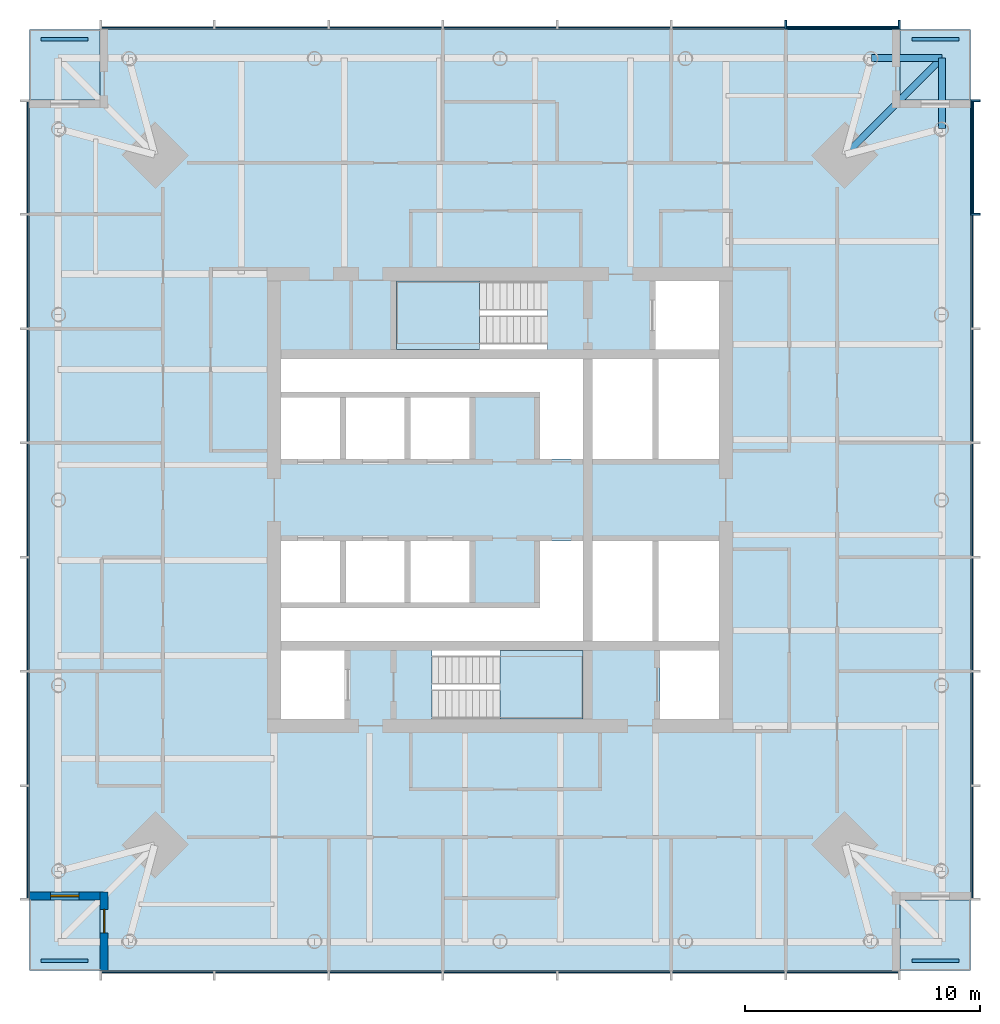
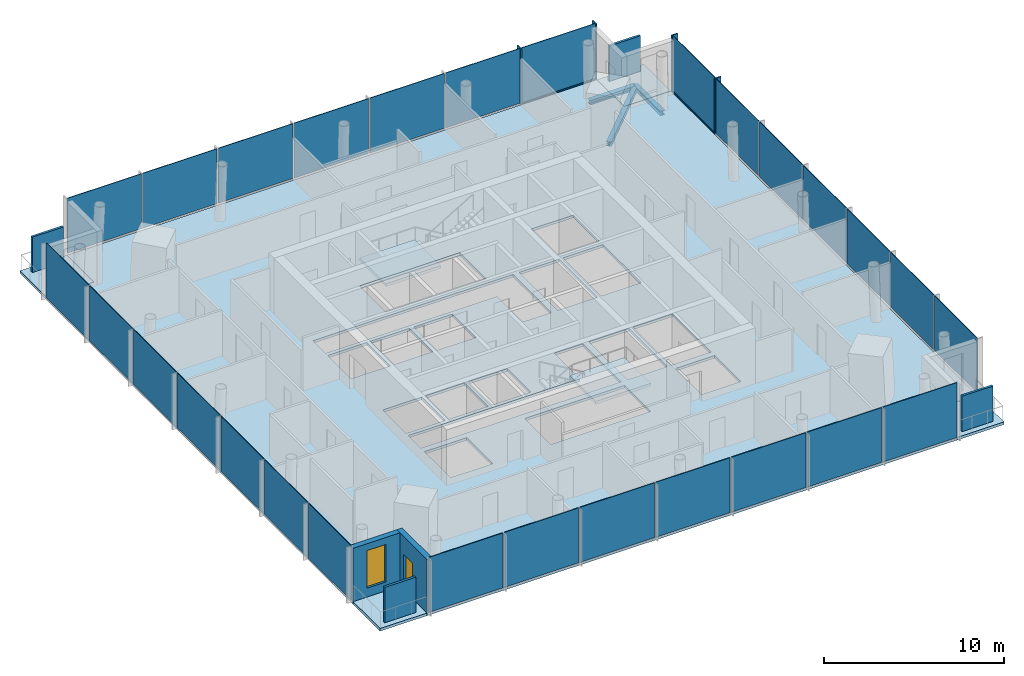
# One storey, part 3 of 7: 32 plates, 7 slabs, 6 members, 3 beams, 2 walls, 1 door, 1 window, 2 openings, 6 elements without a shape of their own.
"""IFC4 building model written with IfcOpenShell, lengths in metres."""

from ifc_helpers import new_model, si_unit, direction, frame, frame_2d, origin, origin_2d, place, context, subcontext, project, spatial, polyline, rectangle, i_section, outline, extrude, material, layer, layer_set, material_profile, profile_set, type_object, element, fill, aggregate, save


model = new_model("IFC4")

# Units and contexts
model_context = context("Model", 3, precision=1e-05, world=origin(), true_north=direction((0.0, 1.0)))
body_context = subcontext(model_context, "Body", "Model", "MODEL_VIEW")
ifc_project = project(units=[si_unit("LENGTHUNIT", "METRE"), si_unit("AREAUNIT", "SQUARE_METRE"), si_unit("VOLUMEUNIT", "CUBIC_METRE"), si_unit("PLANEANGLEUNIT", "RADIAN"), si_unit("MASSUNIT", "GRAM", prefix="KILO")], contexts=[model_context])

# Site, building, storey
site_placement = place(None, origin())
site = spatial("IfcSite", under=ifc_project, at=site_placement, CompositionType="ELEMENT")
building_placement = place(site_placement, origin())
building = spatial("IfcBuilding", under=site, at=building_placement, Name="Ostroluk Exchange", CompositionType="ELEMENT")
storey_placement = place(building_placement, frame((0.0, 0.0, 184.39990234375)))
storey = spatial("IfcBuildingStorey", under=building, at=storey_placement, Name="L47", CompositionType="ELEMENT", Elevation=184.39990234375)

# Beams
ifc_material_1 = material(Name="Steel S355", Category="steel")
ifc_material_profile_1 = material_profile(ifc_material_1, i_section(OverallWidth=0.300048828125, OverallDepth=0.300048828125, WebThickness=0.010986328125, FlangeThickness=0.01904296875, FilletRadius=0.027099609375, at=origin_2d()), Name="HEB 300")
ifc_profile_set_1 = profile_set([ifc_material_profile_1], Name="Steel S355")
beam_type = type_object("IfcBeamType", Name="Balcony beam HEB 300", PredefinedType="BEAM", material=ifc_profile_set_1)
for number, where, z_axis, x_axis, name in (
    (1, (63.778564453125, 61.778564453125, -0.329833984375), (0.0, 1.0, 0.0), (-1.0, 0.0, 0.0), "T1 east balcony beam a"),
    (2, (60.778564453125, 64.778564453125, -0.329833984375), (1.0, 0.0, 0.0), (0.0, 1.0, 0.0), "T1 east balcony beam b"),
):
    element("IfcBeam", number, at=place(storey_placement, frame(where, z_axis=z_axis, x_axis=x_axis)), inside=storey, type_object=beam_type, Name=name, PredefinedType="BEAM", context=body_context, shape_type="SweptSolid", body=[
        extrude(i_section(OverallWidth=0.300048828125, OverallDepth=0.300048828125, WebThickness=0.010986328125, FlangeThickness=0.01904296875, FilletRadius=0.027099609375, at=origin_2d()), origin(), (0.0, 0.0, 1.0), 3.0),
    ])
beam_placement = place(storey_placement, frame((59.678466796875, 60.678466796875, -0.329833984375), z_axis=(0.707106781187, 0.707106781187, 0.0), x_axis=(-0.707106781187, 0.707106781187, 0.0)))
element("IfcBeam", 3, at=beam_placement, inside=storey, type_object=beam_type, Name="T1 east balcony beam c", PredefinedType="BEAM", context=body_context, shape_type="SweptSolid", body=[
    extrude(i_section(OverallWidth=0.300048828125, OverallDepth=0.300048828125, WebThickness=0.010986328125, FlangeThickness=0.01904296875, FilletRadius=0.027099609375, at=origin_2d()), origin(), (0.0, 0.0, 1.0), 5.79833984375),
])

# Curtain wall, member
ifc_material_2 = material(Name="Laminated clear glass", Category="glass")
curtain_wall_type = type_object("IfcCurtainWallType", Name="Office tower facade", PredefinedType="USERDEFINED", material=ifc_material_2)
curtain_wall_1_placement = place(storey_placement, origin())
curtain_wall_1 = element("IfcCurtainWall", 4, at=curtain_wall_1_placement, inside=storey, type_object=curtain_wall_type, Name="Office tower east facade L47", ObjectType="UNITISED CURTAIN WALL", PredefinedType="USERDEFINED")
ifc_material_3 = material(Name="Aluminium mullion", Category="aluminium")
ifc_material_profile_2 = material_profile(ifc_material_3, rectangle(XDim=0.14990234375, YDim=0.080078125, at=origin_2d()), Name="Sill transom 80 x 150")
ifc_profile_set_2 = profile_set([ifc_material_profile_2], Name="Aluminium mullion")
member_type_1 = type_object("IfcMemberType", Name="Sill transom 80 x 150", PredefinedType="USERDEFINED", material=ifc_profile_set_2)
member_1_placement = place(storey_placement, frame((65.074951171875, 58.182861328125, 0.0400390625), z_axis=(0.0, 1.0, 0.0), x_axis=(-1.0, 0.0, 0.0)))
member_1 = element("IfcMember", 5, at=member_1_placement, type_object=member_type_1, Name="CW-O1 transom 7.1", ObjectType="TRANSOM", PredefinedType="USERDEFINED", context=body_context, shape_type="SweptSolid", body=[
    extrude(rectangle(XDim=0.14990234375, YDim=0.080078125, at=origin_2d()), origin(), (0.0, 0.0, 1.0), 4.737060546875),
])

curtain_wall_2_placement = place(storey_placement, origin())
curtain_wall_2 = element("IfcCurtainWall", 6, at=curtain_wall_2_placement, inside=storey, type_object=curtain_wall_type, Name="Office tower north facade L47", ObjectType="UNITISED CURTAIN WALL", PredefinedType="USERDEFINED")
member_2_placement = place(storey_placement, frame((61.919921875, 66.074951171875, 0.0400390625), z_axis=(-1.0, 0.0, 0.0), x_axis=(0.0, -1.0, 0.0)))
member_2 = element("IfcMember", 7, at=member_2_placement, type_object=member_type_1, Name="CW-O1 transom 1.1", ObjectType="TRANSOM", PredefinedType="USERDEFINED", context=body_context, shape_type="SweptSolid", body=[
    extrude(rectangle(XDim=0.14990234375, YDim=0.080078125, at=origin_2d()), origin(), (0.0, 0.0, 1.0), 4.737060546875),
])

# Member
ifc_material_4 = material(Name="Aluminium mullion with limestone facing", Category="masonry")
ifc_material_profile_3 = material_profile(ifc_material_4, rectangle(XDim=0.39990234375, YDim=0.080078125, at=origin_2d()), Name="Tracery mullion 80 x 400")
ifc_profile_set_3 = profile_set([ifc_material_profile_3], Name="Aluminium mullion with limestone facing")
member_type_2 = type_object("IfcMemberType", Name="Tracery mullion 80 x 400", PredefinedType="MULLION", material=ifc_profile_set_3)
member_3_placement = place(storey_placement, frame((65.199951171875, 58.142822265625, 0.0), z_axis=(0.0, 0.0, 1.0), x_axis=(-1.0, 0.0, 0.0)))
member_3 = element("IfcMember", 8, at=member_3_placement, type_object=member_type_2, Name="CW-O1 mullion 7", PredefinedType="MULLION", context=body_context, shape_type="SweptSolid", body=[
    extrude(rectangle(XDim=0.39990234375, YDim=0.080078125, at=origin_2d()), origin(), (0.0, 0.0, 1.0), 3.800048828125),
])

member_4_placement = place(storey_placement, frame((65.199951171875, 62.9599609375, 0.0), z_axis=(0.0, 0.0, 1.0), x_axis=(-1.0, 0.0, 0.0)))
member_4 = element("IfcMember", 9, at=member_4_placement, type_object=member_type_2, Name="CW-O1 mullion 8", PredefinedType="MULLION", context=body_context, shape_type="SweptSolid", body=[
    extrude(rectangle(XDim=0.39990234375, YDim=0.080078125, at=origin_2d()), origin(), (0.0, 0.0, 1.0), 3.800048828125),
])

member_5_placement = place(storey_placement, frame((61.9599609375, 66.199951171875, 0.0), z_axis=(0.0, 0.0, 1.0), x_axis=(0.0, -1.0, 0.0)))
member_5 = element("IfcMember", 10, at=member_5_placement, type_object=member_type_2, Name="CW-O1 mullion 1", PredefinedType="MULLION", context=body_context, shape_type="SweptSolid", body=[
    extrude(rectangle(XDim=0.39990234375, YDim=0.080078125, at=origin_2d()), origin(), (0.0, 0.0, 1.0), 3.800048828125),
])

member_6_placement = place(storey_placement, frame((57.142822265625, 66.199951171875, 0.0), z_axis=(0.0, 0.0, 1.0), x_axis=(0.0, -1.0, 0.0)))
member_6 = element("IfcMember", 11, at=member_6_placement, type_object=member_type_2, Name="CW-O1 mullion 2", PredefinedType="MULLION", context=body_context, shape_type="SweptSolid", body=[
    extrude(rectangle(XDim=0.39990234375, YDim=0.080078125, at=origin_2d()), origin(), (0.0, 0.0, 1.0), 3.800048828125),
])

# Slabs
ifc_material_5 = material(Name="Concrete C35/45", Category="concrete")
ifc_layer_1 = layer(ifc_material_5, 0.179931640625)
ifc_layer_set_1 = layer_set([ifc_layer_1], Name="Balcony slab 180")
slab_type_1 = type_object("IfcSlabType", Name="Balcony slab 180", PredefinedType="USERDEFINED", material=ifc_layer_set_1)
slab_1_placement = place(storey_placement, frame((0.0, 0.0, -0.179931640625)))
element("IfcSlab", 12, at=slab_1_placement, inside=storey, type_object=slab_type_1, Name="Office tower SE corner balcony L47", ObjectType="BALCONY", PredefinedType="USERDEFINED", context=body_context, shape_type="SweptSolid", body=[
    extrude(outline(polyline([(62.0, 26.0), (65.0, 26.0), (65.0, 29.0), (62.0, 29.0), (62.0, 26.0)])), origin(), (0.0, 0.0, 1.0), 0.179931640625),
])
slab_2_placement = place(storey_placement, frame((0.0, 0.0, -0.179931640625)))
element("IfcSlab", 13, at=slab_2_placement, inside=storey, type_object=slab_type_1, Name="Office tower NE corner balcony L47", ObjectType="BALCONY", PredefinedType="USERDEFINED", context=body_context, shape_type="SweptSolid", body=[
    extrude(outline(polyline([(62.0, 63.0), (65.0, 63.0), (65.0, 66.0), (62.0, 66.0), (62.0, 63.0)])), origin(), (0.0, 0.0, 1.0), 0.179931640625),
])
slab_3_placement = place(storey_placement, frame((0.0, 0.0, -0.179931640625)))
element("IfcSlab", 14, at=slab_3_placement, inside=storey, type_object=slab_type_1, Name="Office tower NW corner balcony L47", ObjectType="BALCONY", PredefinedType="USERDEFINED", context=body_context, shape_type="SweptSolid", body=[
    extrude(outline(polyline([(25.0, 63.0), (28.0, 63.0), (28.0, 66.0), (25.0, 66.0), (25.0, 63.0)])), origin(), (0.0, 0.0, 1.0), 0.179931640625),
])
slab_4_placement = place(storey_placement, frame((0.0, 0.0, -0.179931640625)))
element("IfcSlab", 15, at=slab_4_placement, inside=storey, type_object=slab_type_1, Name="Office tower SW corner balcony L47", ObjectType="BALCONY", PredefinedType="USERDEFINED", context=body_context, shape_type="SweptSolid", body=[
    extrude(outline(polyline([(25.0, 26.0), (28.0, 26.0), (28.0, 29.0), (25.0, 29.0), (25.0, 26.0)])), origin(), (0.0, 0.0, 1.0), 0.179931640625),
])

# Plates
ifc_material_6 = material(Name="Steel S355 trellis with planting", Category="steel")
ifc_layer_2 = layer(ifc_material_6, 0.14990234375)
ifc_layer_set_2 = layer_set([ifc_layer_2], Name="Planted screen 150")
plate_type_1 = type_object("IfcPlateType", Name="Planted screen 150", PredefinedType="USERDEFINED", material=ifc_layer_set_2)
for number, where, z_axis, x_axis, name in (
    (16, (63.5, 26.425048828125, 0.000244140625), (0.0, 0.0, 1.0), (1.0, 0.0, 0.0), "Office tower SE planted screen L47"),
    (17, (63.5, 65.574951171875, 0.000244140625), (0.0, 0.0, 1.0), (1.0, 0.0, 0.0), "Office tower NE planted screen L47"),
    (18, (26.5, 65.574951171875, 0.000244140625), (0.0, 0.0, 1.0), (1.0, 0.0, 0.0), "Office tower NW planted screen L47"),
    (19, (26.5, 26.425048828125, 0.000244140625), (0.0, 0.0, 1.0), (1.0, 0.0, 0.0), "Office tower SW planted screen L47"),
):
    element("IfcPlate", number, at=place(storey_placement, frame(where, z_axis=z_axis, x_axis=x_axis)), inside=storey, type_object=plate_type_1, Name=name, ObjectType="PLANTED SCREEN", PredefinedType="USERDEFINED", context=body_context, shape_type="SweptSolid", body=[
        extrude(rectangle(XDim=2.0, YDim=0.14990234375, at=origin_2d()), origin(), (0.0, 0.0, 1.0), 2.39990234375),
    ])

# Stair, slab
ifc_material_7 = material(Name="Concrete C30/37", Category="concrete")
stair_type = type_object("IfcStairType", Name="Exit stair half turn 3800", PredefinedType="HALF_TURN_STAIR", material=ifc_material_7)
stair_1_placement = place(storey_placement, origin())
stair_1 = element("IfcStair", 20, at=stair_1_placement, inside=storey, type_object=stair_type, Name="Stair T1-S1 L47", PredefinedType="HALF_TURN_STAIR")
ifc_material_8 = material(Name="Concrete C30/37", Category="concrete")
ifc_layer_3 = layer(ifc_material_8, 0.199951171875)
ifc_layer_set_3 = layer_set([ifc_layer_3], Name="Stair landing 200")
slab_type_2 = type_object("IfcSlabType", Name="Stair landing 200", PredefinedType="LANDING", material=ifc_layer_set_3)
slab_5_placement = place(storey_placement, frame((0.0, 0.0, 1.7001953125)))
slab_5 = element("IfcSlab", 21, at=slab_5_placement, type_object=slab_type_2, Name="T1-S1 landing 1", PredefinedType="LANDING", context=body_context, shape_type="SweptSolid", body=[
    extrude(outline(polyline([(45.0, 36.699951171875), (45.0, 39.60009765625), (48.530029296875, 39.60009765625), (48.530029296875, 36.699951171875), (45.0, 36.699951171875)])), origin(), (0.0, 0.0, 1.0), 0.199951171875),
])
aggregate(stair_1, [slab_5])

stair_2_placement = place(storey_placement, origin())
stair_2 = element("IfcStair", 22, at=stair_2_placement, inside=storey, type_object=stair_type, Name="Stair T1-S2 L47", PredefinedType="HALF_TURN_STAIR")
slab_6_placement = place(storey_placement, frame((0.0, 0.0, 1.7001953125)))
slab_6 = element("IfcSlab", 23, at=slab_6_placement, type_object=slab_type_2, Name="T1-S2 landing 1", PredefinedType="LANDING", context=body_context, shape_type="SweptSolid", body=[
    extrude(outline(polyline([(44.1298828125, 52.39990234375), (44.1298828125, 55.300048828125), (40.60009765625, 55.300048828125), (40.60009765625, 52.39990234375), (44.1298828125, 52.39990234375)])), origin(), (0.0, 0.0, 1.0), 0.199951171875),
])
aggregate(stair_2, [slab_6])

# Slab
ifc_material_9 = material(Name="Concrete C35/45", Category="concrete")
ifc_layer_4 = layer(ifc_material_9, 0.179931640625)
ifc_layer_set_4 = layer_set([ifc_layer_4], Name="Tower floor slab 180 composite")
slab_type_3 = type_object("IfcSlabType", Name="Tower floor slab 180 composite", PredefinedType="FLOOR", material=ifc_layer_set_4)
slab_7_placement = place(storey_placement, frame((0.0, 0.0, -0.179931640625)))
element("IfcSlab", 24, at=slab_7_placement, inside=storey, type_object=slab_type_3, Name="Office tower floor slab L47", PredefinedType="FLOOR", context=body_context, shape_type="SweptSolid", body=[
    extrude(outline(polyline([(28.0, 26.0), (62.0, 26.0), (62.0, 29.0), (65.0, 29.0), (65.0, 63.0), (62.0, 63.0), (62.0, 66.0), (28.0, 66.0), (28.0, 63.0), (25.0, 63.0), (25.0, 29.0), (28.0, 29.0), (28.0, 26.0)]), holes=[polyline([(35.699951171875, 36.699951171875), (38.39990234375, 36.699951171875), (38.39990234375, 39.60009765625), (35.699951171875, 39.60009765625), (35.699951171875, 36.699951171875)]), polyline([(42.110107421875, 36.699951171875), (48.530029296875, 36.699951171875), (48.530029296875, 39.60009765625), (42.110107421875, 39.60009765625), (42.110107421875, 36.699951171875)]), polyline([(51.800048828125, 36.699951171875), (54.300048828125, 36.699951171875), (54.300048828125, 39.60009765625), (51.800048828125, 39.60009765625), (51.800048828125, 36.699951171875)]), polyline([(40.60009765625, 52.39990234375), (47.02001953125, 52.39990234375), (47.02001953125, 55.300048828125), (40.60009765625, 55.300048828125), (40.60009765625, 52.39990234375)]), polyline([(51.60009765625, 52.39990234375), (54.300048828125, 52.39990234375), (54.300048828125, 55.300048828125), (51.60009765625, 55.300048828125), (51.60009765625, 52.39990234375)]), polyline([(35.699951171875, 47.75), (38.199951171875, 47.75), (38.199951171875, 50.35009765625), (35.699951171875, 50.35009765625), (35.699951171875, 47.75)]), polyline([(38.449951171875, 47.75), (40.949951171875, 47.75), (40.949951171875, 50.35009765625), (38.449951171875, 50.35009765625), (38.449951171875, 47.75)]), polyline([(41.199951171875, 47.75), (43.699951171875, 47.75), (43.699951171875, 50.35009765625), (41.199951171875, 50.35009765625), (41.199951171875, 47.75)]), polyline([(35.699951171875, 41.64990234375), (38.199951171875, 41.64990234375), (38.199951171875, 44.25), (35.699951171875, 44.25), (35.699951171875, 41.64990234375)]), polyline([(38.449951171875, 41.64990234375), (40.949951171875, 41.64990234375), (40.949951171875, 44.25), (38.449951171875, 44.25), (38.449951171875, 41.64990234375)]), polyline([(41.199951171875, 41.64990234375), (43.699951171875, 41.64990234375), (43.699951171875, 44.25), (41.199951171875, 44.25), (41.199951171875, 41.64990234375)]), polyline([(48.929931640625, 47.75), (51.489990234375, 47.75), (51.489990234375, 52.0), (48.929931640625, 52.0), (48.929931640625, 47.75)]), polyline([(51.739990234375, 47.75), (54.300048828125, 47.75), (54.300048828125, 52.0), (51.739990234375, 52.0), (51.739990234375, 47.75)]), polyline([(48.929931640625, 40.0), (51.489990234375, 40.0), (51.489990234375, 44.25), (48.929931640625, 44.25), (48.929931640625, 40.0)]), polyline([(51.739990234375, 40.0), (54.300048828125, 40.0), (54.300048828125, 44.25), (51.739990234375, 44.25), (51.739990234375, 40.0)]), polyline([(48.530029296875, 52.0), (48.530029296875, 47.75), (46.699951171875, 47.75), (46.699951171875, 50.60009765625), (35.699951171875, 50.60009765625), (35.699951171875, 52.0), (48.530029296875, 52.0)]), polyline([(35.699951171875, 40.0), (35.699951171875, 41.39990234375), (46.699951171875, 41.39990234375), (46.699951171875, 44.25), (48.530029296875, 44.25), (48.530029296875, 40.0), (35.699951171875, 40.0)])]), origin(), (0.0, 0.0, 1.0), 0.179931640625),
])

# Curtain wall, plates
curtain_wall_3_placement = place(storey_placement, origin())
curtain_wall_3 = element("IfcCurtainWall", 25, at=curtain_wall_3_placement, inside=storey, type_object=curtain_wall_type, Name="Office tower south facade L47", ObjectType="UNITISED CURTAIN WALL", PredefinedType="USERDEFINED")
ifc_material_10 = material(Name="Laminated clear glass", Category="glass")
ifc_layer_5 = layer(ifc_material_10, 0.0439453125)
ifc_layer_set_5 = layer_set([ifc_layer_5], Name="Triple laminated clear glazing 44")
plate_type_2 = type_object("IfcPlateType", Name="Triple laminated clear glazing 44", PredefinedType="CURTAIN_PANEL", material=ifc_layer_set_5)
plate_1_placement = place(storey_placement, frame((30.448486328125, 25.925048828125, 0.080078125), z_axis=(0.0, 0.0, 1.0), x_axis=(1.0, 0.0, 0.0)))
plate_1 = element("IfcPlate", 26, at=plate_1_placement, type_object=plate_type_2, Name="CW-O1 panel 1.1", PredefinedType="CURTAIN_PANEL", context=body_context, shape_type="SweptSolid", body=[
    extrude(rectangle(XDim=4.737060546875, YDim=0.0439453125, at=origin_2d()), origin(), (0.0, 0.0, 1.0), 3.719970703125),
])
plate_2_placement = place(storey_placement, frame((35.28564453125, 25.925048828125, 0.080078125), z_axis=(0.0, 0.0, 1.0), x_axis=(1.0, 0.0, 0.0)))
plate_2 = element("IfcPlate", 27, at=plate_2_placement, type_object=plate_type_2, Name="CW-O1 panel 2.1", PredefinedType="CURTAIN_PANEL", context=body_context, shape_type="SweptSolid", body=[
    extrude(rectangle(XDim=4.777099609375, YDim=0.0439453125, at=origin_2d()), origin(), (0.0, 0.0, 1.0), 3.719970703125),
])
plate_3_placement = place(storey_placement, frame((40.142822265625, 25.925048828125, 0.080078125), z_axis=(0.0, 0.0, 1.0), x_axis=(1.0, 0.0, 0.0)))
plate_3 = element("IfcPlate", 28, at=plate_3_placement, type_object=plate_type_2, Name="CW-O1 panel 3.1", PredefinedType="CURTAIN_PANEL", context=body_context, shape_type="SweptSolid", body=[
    extrude(rectangle(XDim=4.777099609375, YDim=0.0439453125, at=origin_2d()), origin(), (0.0, 0.0, 1.0), 3.719970703125),
])
plate_4_placement = place(storey_placement, frame((45.0, 25.925048828125, 0.080078125), z_axis=(0.0, 0.0, 1.0), x_axis=(1.0, 0.0, 0.0)))
plate_4 = element("IfcPlate", 29, at=plate_4_placement, type_object=plate_type_2, Name="CW-O1 panel 4.1", PredefinedType="CURTAIN_PANEL", context=body_context, shape_type="SweptSolid", body=[
    extrude(rectangle(XDim=4.777099609375, YDim=0.0439453125, at=origin_2d()), origin(), (0.0, 0.0, 1.0), 3.719970703125),
])
plate_5_placement = place(storey_placement, frame((49.857177734375, 25.925048828125, 0.080078125), z_axis=(0.0, 0.0, 1.0), x_axis=(1.0, 0.0, 0.0)))
plate_5 = element("IfcPlate", 30, at=plate_5_placement, type_object=plate_type_2, Name="CW-O1 panel 5.1", PredefinedType="CURTAIN_PANEL", context=body_context, shape_type="SweptSolid", body=[
    extrude(rectangle(XDim=4.777099609375, YDim=0.0439453125, at=origin_2d()), origin(), (0.0, 0.0, 1.0), 3.719970703125),
])
plate_6_placement = place(storey_placement, frame((54.71435546875, 25.925048828125, 0.080078125), z_axis=(0.0, 0.0, 1.0), x_axis=(1.0, 0.0, 0.0)))
plate_6 = element("IfcPlate", 31, at=plate_6_placement, type_object=plate_type_2, Name="CW-O1 panel 6.1", PredefinedType="CURTAIN_PANEL", context=body_context, shape_type="SweptSolid", body=[
    extrude(rectangle(XDim=4.777099609375, YDim=0.0439453125, at=origin_2d()), origin(), (0.0, 0.0, 1.0), 3.719970703125),
])
plate_7_placement = place(storey_placement, frame((59.551513671875, 25.925048828125, 0.080078125), z_axis=(0.0, 0.0, 1.0), x_axis=(1.0, 0.0, 0.0)))
plate_7 = element("IfcPlate", 32, at=plate_7_placement, type_object=plate_type_2, Name="CW-O1 panel 7.1", PredefinedType="CURTAIN_PANEL", context=body_context, shape_type="SweptSolid", body=[
    extrude(rectangle(XDim=4.737060546875, YDim=0.0439453125, at=origin_2d()), origin(), (0.0, 0.0, 1.0), 3.719970703125),
])
aggregate(curtain_wall_3, [plate_1, plate_2, plate_3, plate_4, plate_5, plate_6, plate_7])

# Plate
plate_8_placement = place(storey_placement, frame((65.074951171875, 31.448486328125, 0.080078125), z_axis=(0.0, 0.0, 1.0), x_axis=(0.0, 1.0, 0.0)))
plate_8 = element("IfcPlate", 33, at=plate_8_placement, type_object=plate_type_2, Name="CW-O1 panel 1.1", PredefinedType="CURTAIN_PANEL", context=body_context, shape_type="SweptSolid", body=[
    extrude(rectangle(XDim=4.737060546875, YDim=0.0439453125, at=origin_2d()), origin(), (0.0, 0.0, 1.0), 3.719970703125),
])

plate_9_placement = place(storey_placement, frame((65.074951171875, 36.28564453125, 0.080078125), z_axis=(0.0, 0.0, 1.0), x_axis=(0.0, 1.0, 0.0)))
plate_9 = element("IfcPlate", 34, at=plate_9_placement, type_object=plate_type_2, Name="CW-O1 panel 2.1", PredefinedType="CURTAIN_PANEL", context=body_context, shape_type="SweptSolid", body=[
    extrude(rectangle(XDim=4.777099609375, YDim=0.0439453125, at=origin_2d()), origin(), (0.0, 0.0, 1.0), 3.719970703125),
])

plate_10_placement = place(storey_placement, frame((65.074951171875, 41.142822265625, 0.080078125), z_axis=(0.0, 0.0, 1.0), x_axis=(0.0, 1.0, 0.0)))
plate_10 = element("IfcPlate", 35, at=plate_10_placement, type_object=plate_type_2, Name="CW-O1 panel 3.1", PredefinedType="CURTAIN_PANEL", context=body_context, shape_type="SweptSolid", body=[
    extrude(rectangle(XDim=4.777099609375, YDim=0.0439453125, at=origin_2d()), origin(), (0.0, 0.0, 1.0), 3.719970703125),
])

plate_11_placement = place(storey_placement, frame((65.074951171875, 46.0, 0.080078125), z_axis=(0.0, 0.0, 1.0), x_axis=(0.0, 1.0, 0.0)))
plate_11 = element("IfcPlate", 36, at=plate_11_placement, type_object=plate_type_2, Name="CW-O1 panel 4.1", PredefinedType="CURTAIN_PANEL", context=body_context, shape_type="SweptSolid", body=[
    extrude(rectangle(XDim=4.777099609375, YDim=0.0439453125, at=origin_2d()), origin(), (0.0, 0.0, 1.0), 3.719970703125),
])

plate_12_placement = place(storey_placement, frame((65.074951171875, 50.857177734375, 0.080078125), z_axis=(0.0, 0.0, 1.0), x_axis=(0.0, 1.0, 0.0)))
plate_12 = element("IfcPlate", 37, at=plate_12_placement, type_object=plate_type_2, Name="CW-O1 panel 5.1", PredefinedType="CURTAIN_PANEL", context=body_context, shape_type="SweptSolid", body=[
    extrude(rectangle(XDim=4.777099609375, YDim=0.0439453125, at=origin_2d()), origin(), (0.0, 0.0, 1.0), 3.719970703125),
])

plate_13_placement = place(storey_placement, frame((65.074951171875, 55.71435546875, 0.080078125), z_axis=(0.0, 0.0, 1.0), x_axis=(0.0, 1.0, 0.0)))
plate_13 = element("IfcPlate", 38, at=plate_13_placement, type_object=plate_type_2, Name="CW-O1 panel 6.1", PredefinedType="CURTAIN_PANEL", context=body_context, shape_type="SweptSolid", body=[
    extrude(rectangle(XDim=4.777099609375, YDim=0.0439453125, at=origin_2d()), origin(), (0.0, 0.0, 1.0), 3.719970703125),
])

plate_14_placement = place(storey_placement, frame((65.074951171875, 60.551513671875, 0.080078125), z_axis=(0.0, 0.0, 1.0), x_axis=(0.0, 1.0, 0.0)))
plate_14 = element("IfcPlate", 39, at=plate_14_placement, type_object=plate_type_2, Name="CW-O1 panel 7.1", PredefinedType="CURTAIN_PANEL", context=body_context, shape_type="SweptSolid", body=[
    extrude(rectangle(XDim=4.737060546875, YDim=0.0439453125, at=origin_2d()), origin(), (0.0, 0.0, 1.0), 3.719970703125),
])

aggregate(curtain_wall_1, [member_3, member_4, plate_8, plate_9, plate_10, plate_11, plate_12, plate_13, member_1, plate_14])

plate_15_placement = place(storey_placement, frame((59.551513671875, 66.074951171875, 0.080078125), z_axis=(0.0, 0.0, 1.0), x_axis=(-1.0, 0.0, 0.0)))
plate_15 = element("IfcPlate", 40, at=plate_15_placement, type_object=plate_type_2, Name="CW-O1 panel 1.1", PredefinedType="CURTAIN_PANEL", context=body_context, shape_type="SweptSolid", body=[
    extrude(rectangle(XDim=4.737060546875, YDim=0.0439453125, at=origin_2d()), origin(), (0.0, 0.0, 1.0), 3.719970703125),
])

plate_16_placement = place(storey_placement, frame((54.71435546875, 66.074951171875, 0.080078125), z_axis=(0.0, 0.0, 1.0), x_axis=(-1.0, 0.0, 0.0)))
plate_16 = element("IfcPlate", 41, at=plate_16_placement, type_object=plate_type_2, Name="CW-O1 panel 2.1", PredefinedType="CURTAIN_PANEL", context=body_context, shape_type="SweptSolid", body=[
    extrude(rectangle(XDim=4.777099609375, YDim=0.0439453125, at=origin_2d()), origin(), (0.0, 0.0, 1.0), 3.719970703125),
])

plate_17_placement = place(storey_placement, frame((49.857177734375, 66.074951171875, 0.080078125), z_axis=(0.0, 0.0, 1.0), x_axis=(-1.0, 0.0, 0.0)))
plate_17 = element("IfcPlate", 42, at=plate_17_placement, type_object=plate_type_2, Name="CW-O1 panel 3.1", PredefinedType="CURTAIN_PANEL", context=body_context, shape_type="SweptSolid", body=[
    extrude(rectangle(XDim=4.777099609375, YDim=0.0439453125, at=origin_2d()), origin(), (0.0, 0.0, 1.0), 3.719970703125),
])

plate_18_placement = place(storey_placement, frame((45.0, 66.074951171875, 0.080078125), z_axis=(0.0, 0.0, 1.0), x_axis=(-1.0, 0.0, 0.0)))
plate_18 = element("IfcPlate", 43, at=plate_18_placement, type_object=plate_type_2, Name="CW-O1 panel 4.1", PredefinedType="CURTAIN_PANEL", context=body_context, shape_type="SweptSolid", body=[
    extrude(rectangle(XDim=4.777099609375, YDim=0.0439453125, at=origin_2d()), origin(), (0.0, 0.0, 1.0), 3.719970703125),
])

plate_19_placement = place(storey_placement, frame((40.142822265625, 66.074951171875, 0.080078125), z_axis=(0.0, 0.0, 1.0), x_axis=(-1.0, 0.0, 0.0)))
plate_19 = element("IfcPlate", 44, at=plate_19_placement, type_object=plate_type_2, Name="CW-O1 panel 5.1", PredefinedType="CURTAIN_PANEL", context=body_context, shape_type="SweptSolid", body=[
    extrude(rectangle(XDim=4.777099609375, YDim=0.0439453125, at=origin_2d()), origin(), (0.0, 0.0, 1.0), 3.719970703125),
])

plate_20_placement = place(storey_placement, frame((35.28564453125, 66.074951171875, 0.080078125), z_axis=(0.0, 0.0, 1.0), x_axis=(-1.0, 0.0, 0.0)))
plate_20 = element("IfcPlate", 45, at=plate_20_placement, type_object=plate_type_2, Name="CW-O1 panel 6.1", PredefinedType="CURTAIN_PANEL", context=body_context, shape_type="SweptSolid", body=[
    extrude(rectangle(XDim=4.777099609375, YDim=0.0439453125, at=origin_2d()), origin(), (0.0, 0.0, 1.0), 3.719970703125),
])

plate_21_placement = place(storey_placement, frame((30.448486328125, 66.074951171875, 0.080078125), z_axis=(0.0, 0.0, 1.0), x_axis=(-1.0, 0.0, 0.0)))
plate_21 = element("IfcPlate", 46, at=plate_21_placement, type_object=plate_type_2, Name="CW-O1 panel 7.1", PredefinedType="CURTAIN_PANEL", context=body_context, shape_type="SweptSolid", body=[
    extrude(rectangle(XDim=4.737060546875, YDim=0.0439453125, at=origin_2d()), origin(), (0.0, 0.0, 1.0), 3.719970703125),
])

aggregate(curtain_wall_2, [member_5, member_6, member_2, plate_15, plate_16, plate_17, plate_18, plate_19, plate_20, plate_21])

# Curtain wall, plates
curtain_wall_4_placement = place(storey_placement, origin())
curtain_wall_4 = element("IfcCurtainWall", 47, at=curtain_wall_4_placement, inside=storey, type_object=curtain_wall_type, Name="Office tower west facade L47", ObjectType="UNITISED CURTAIN WALL", PredefinedType="USERDEFINED")
plate_22_placement = place(storey_placement, frame((24.925048828125, 60.551513671875, 0.080078125), z_axis=(0.0, 0.0, 1.0), x_axis=(0.0, -1.0, 0.0)))
plate_22 = element("IfcPlate", 48, at=plate_22_placement, type_object=plate_type_2, Name="CW-O1 panel 1.1", PredefinedType="CURTAIN_PANEL", context=body_context, shape_type="SweptSolid", body=[
    extrude(rectangle(XDim=4.737060546875, YDim=0.0439453125, at=origin_2d()), origin(), (0.0, 0.0, 1.0), 3.719970703125),
])
plate_23_placement = place(storey_placement, frame((24.925048828125, 55.71435546875, 0.080078125), z_axis=(0.0, 0.0, 1.0), x_axis=(0.0, -1.0, 0.0)))
plate_23 = element("IfcPlate", 49, at=plate_23_placement, type_object=plate_type_2, Name="CW-O1 panel 2.1", PredefinedType="CURTAIN_PANEL", context=body_context, shape_type="SweptSolid", body=[
    extrude(rectangle(XDim=4.777099609375, YDim=0.0439453125, at=origin_2d()), origin(), (0.0, 0.0, 1.0), 3.719970703125),
])
plate_24_placement = place(storey_placement, frame((24.925048828125, 50.857177734375, 0.080078125), z_axis=(0.0, 0.0, 1.0), x_axis=(0.0, -1.0, 0.0)))
plate_24 = element("IfcPlate", 50, at=plate_24_placement, type_object=plate_type_2, Name="CW-O1 panel 3.1", PredefinedType="CURTAIN_PANEL", context=body_context, shape_type="SweptSolid", body=[
    extrude(rectangle(XDim=4.777099609375, YDim=0.0439453125, at=origin_2d()), origin(), (0.0, 0.0, 1.0), 3.719970703125),
])
plate_25_placement = place(storey_placement, frame((24.925048828125, 46.0, 0.080078125), z_axis=(0.0, 0.0, 1.0), x_axis=(0.0, -1.0, 0.0)))
plate_25 = element("IfcPlate", 51, at=plate_25_placement, type_object=plate_type_2, Name="CW-O1 panel 4.1", PredefinedType="CURTAIN_PANEL", context=body_context, shape_type="SweptSolid", body=[
    extrude(rectangle(XDim=4.777099609375, YDim=0.0439453125, at=origin_2d()), origin(), (0.0, 0.0, 1.0), 3.719970703125),
])
plate_26_placement = place(storey_placement, frame((24.925048828125, 41.142822265625, 0.080078125), z_axis=(0.0, 0.0, 1.0), x_axis=(0.0, -1.0, 0.0)))
plate_26 = element("IfcPlate", 52, at=plate_26_placement, type_object=plate_type_2, Name="CW-O1 panel 5.1", PredefinedType="CURTAIN_PANEL", context=body_context, shape_type="SweptSolid", body=[
    extrude(rectangle(XDim=4.777099609375, YDim=0.0439453125, at=origin_2d()), origin(), (0.0, 0.0, 1.0), 3.719970703125),
])
plate_27_placement = place(storey_placement, frame((24.925048828125, 36.28564453125, 0.080078125), z_axis=(0.0, 0.0, 1.0), x_axis=(0.0, -1.0, 0.0)))
plate_27 = element("IfcPlate", 53, at=plate_27_placement, type_object=plate_type_2, Name="CW-O1 panel 6.1", PredefinedType="CURTAIN_PANEL", context=body_context, shape_type="SweptSolid", body=[
    extrude(rectangle(XDim=4.777099609375, YDim=0.0439453125, at=origin_2d()), origin(), (0.0, 0.0, 1.0), 3.719970703125),
])
plate_28_placement = place(storey_placement, frame((24.925048828125, 31.448486328125, 0.080078125), z_axis=(0.0, 0.0, 1.0), x_axis=(0.0, -1.0, 0.0)))
plate_28 = element("IfcPlate", 54, at=plate_28_placement, type_object=plate_type_2, Name="CW-O1 panel 7.1", PredefinedType="CURTAIN_PANEL", context=body_context, shape_type="SweptSolid", body=[
    extrude(rectangle(XDim=4.737060546875, YDim=0.0439453125, at=origin_2d()), origin(), (0.0, 0.0, 1.0), 3.719970703125),
])
aggregate(curtain_wall_4, [plate_22, plate_23, plate_24, plate_25, plate_26, plate_27, plate_28])

# Wall, opening, door
ifc_material_11 = material(Name="Limestone", Category="masonry")
ifc_layer_6 = layer(ifc_material_11, 0.35009765625)
ifc_layer_set_6 = layer_set([ifc_layer_6], Name="Limestone facade wall 350")
wall_type = type_object("IfcWallType", Name="Limestone facade wall 350", PredefinedType="SOLIDWALL", material=ifc_layer_set_6)
wall_1_placement = place(storey_placement, frame((28.175048828125, 26.0, 0.0), z_axis=(0.0, 0.0, 1.0), x_axis=(0.0, 1.0, 0.0)))
wall_1 = element("IfcWall", 55, at=wall_1_placement, inside=storey, type_object=wall_type, Name="Office tower SW corner wall L47 a", PredefinedType="SOLIDWALL", context=body_context, shape_type="SweptSolid", body=[
    extrude(rectangle(XDim=3.35009765625, YDim=0.35009765625, at=frame_2d((1.675048828125, 0.0))), origin(), (0.0, 0.0, 1.0), 3.6201171875),
])
opening_1_placement = place(wall_1_placement, frame((1.60009765625, 0.0, 0.0)))
opening_1 = element("IfcOpeningElement", 56, at=opening_1_placement, cuts=wall_1, Name="Opening D-B1", PredefinedType="OPENING", context=body_context, shape_type="SweptSolid", body=[
    extrude(rectangle(XDim=1.0, YDim=2.39990234375, at=frame_2d((0.5, 1.199951171875))), frame((0.0, 0.18505859375, 0.0), z_axis=(0.0, -1.0, 0.0), x_axis=(1.0, 0.0, 0.0)), (0.0, 0.0, 1.0), 0.3701171875),
])
ifc_material_12 = material(Name="Bronze framed glazed door", Category="aluminium")
door_type = type_object("IfcDoorType", Name="Balcony door 1000 x 2400", OperationType="SINGLE_SWING_LEFT", PredefinedType="DOOR", material=ifc_material_12)
door_placement = place(opening_1_placement, origin())
door = element("IfcDoor", 57, at=door_placement, inside=storey, type_object=door_type, Name="Office tower SW balcony door L47", OperationType="SINGLE_SWING_RIGHT", OverallHeight=2.39990234375, OverallWidth=1.0, PredefinedType="DOOR", context=body_context, shape_type="SweptSolid", body=[
    extrude(rectangle(XDim=1.0, YDim=2.39990234375, at=frame_2d((0.5, 1.199951171875))), frame((0.0, 0.02490234375, 0.0), z_axis=(0.0, -1.0, 0.0), x_axis=(1.0, 0.0, 0.0)), (0.0, 0.0, 1.0), 0.050048828125),
])
fill(opening_1, door)

# Wall, opening, window
wall_2_placement = place(storey_placement, frame((28.0, 29.175048828125, 0.0), z_axis=(0.0, 0.0, 1.0), x_axis=(-1.0, 0.0, 0.0)))
wall_2 = element("IfcWall", 58, at=wall_2_placement, inside=storey, type_object=wall_type, Name="Office tower SW corner wall L47 b", PredefinedType="SOLIDWALL", context=body_context, shape_type="SweptSolid", body=[
    extrude(rectangle(XDim=3.0, YDim=0.35009765625, at=frame_2d((1.5, 0.0))), origin(), (0.0, 0.0, 1.0), 3.6201171875),
])
opening_2_placement = place(wall_2_placement, frame((0.89990234375, 0.0, 0.60009765625)))
opening_2 = element("IfcOpeningElement", 59, at=opening_2_placement, cuts=wall_2, Name="Opening WN-L1", PredefinedType="OPENING", context=body_context, shape_type="SweptSolid", body=[
    extrude(rectangle(XDim=1.199951171875, YDim=2.550048828125, at=frame_2d((0.60009765625, 1.27490234375))), frame((0.0, 0.18505859375, 0.0), z_axis=(0.0, -1.0, 0.0), x_axis=(1.0, 0.0, 0.0)), (0.0, 0.0, 1.0), 0.3701171875),
])
ifc_material_13 = material(Name="Laminated clear glass", Category="glass")
window_type = type_object("IfcWindowType", Name="Lancet window 1200 x 2550", PartitioningType="SINGLE_PANEL", PredefinedType="WINDOW", material=ifc_material_13)
window_placement = place(opening_2_placement, origin())
window = element("IfcWindow", 60, at=window_placement, inside=storey, type_object=window_type, Name="Office tower SW lancet window L47", OverallHeight=2.550048828125, OverallWidth=1.199951171875, PartitioningType="SINGLE_PANEL", PredefinedType="WINDOW", context=body_context, shape_type="SweptSolid", body=[
    extrude(rectangle(XDim=1.199951171875, YDim=2.550048828125, at=frame_2d((0.60009765625, 1.27490234375))), frame((0.0, 0.030029296875, 0.0), z_axis=(0.0, -1.0, 0.0), x_axis=(1.0, 0.0, 0.0)), (0.0, 0.0, 1.0), 0.06005859375),
])
fill(opening_2, window)

save(model, "model.ifc")
